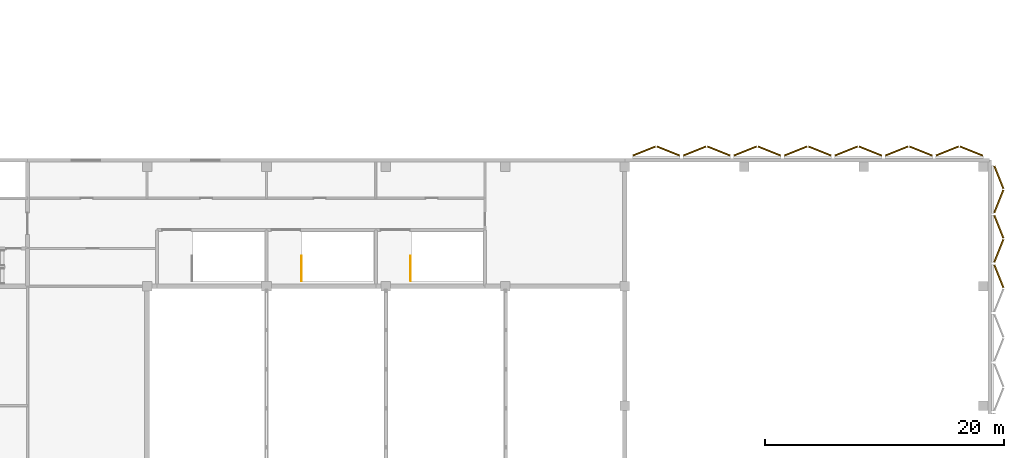
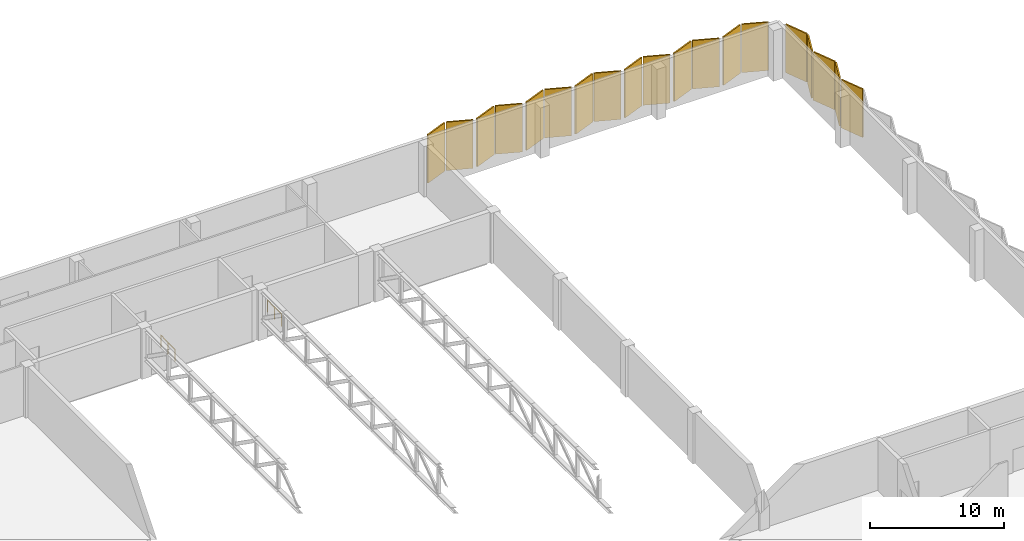
# One storey, part 36 of 36: 19 coverings, 2 railings.
"""IFC4 building model written with IfcOpenShell, lengths in metres."""

from ifc_helpers import new_model, si_unit, direction, frame, origin, origin_2d, place, context, subcontext, project, spatial, rectangle, circle, extrude, material, layer, layer_set, type_object, element, save


model = new_model("IFC4")

# Units and contexts
model_context = context("Model", 3, precision=1e-05, world=origin(), true_north=direction((0.0, 1.0)))
body_context = subcontext(model_context, "Body", "Model", "MODEL_VIEW")
ifc_project = project(units=[si_unit("LENGTHUNIT", "METRE"), si_unit("AREAUNIT", "SQUARE_METRE"), si_unit("VOLUMEUNIT", "CUBIC_METRE"), si_unit("PLANEANGLEUNIT", "RADIAN"), si_unit("MASSUNIT", "GRAM", prefix="KILO")], contexts=[model_context])

# Site, building, storey
site_placement = place(None, origin())
site = spatial("IfcSite", under=ifc_project, at=site_placement, CompositionType="ELEMENT")
building_placement = place(site_placement, origin())
building = spatial("IfcBuilding", under=site, at=building_placement, Name="Jabali Bay Hotel Tower and Convention Centre", CompositionType="ELEMENT")
storey_placement = place(building_placement, frame((0.0, 0.0, 20.39990234375)))
storey = spatial("IfcBuildingStorey", under=building, at=storey_placement, Name="L03", CompositionType="ELEMENT", Elevation=20.39990234375)

# Coverings
ifc_material_1 = material(Name="Precast concrete C40/50", Category="concrete")
ifc_layer = layer(ifc_material_1, 0.1201171875)
ifc_layer_set = layer_set([ifc_layer], Name="Precast concrete C40/50")
covering_type = type_object("IfcCoveringType", Name="CC Screen blade 4000 x 4390", PredefinedType="CLADDING", material=ifc_layer_set)
for number, where, z_axis, x_axis, name in (
    (1, (252.021728515625, 100.8330078125, 0.10009765625), (0.0, 0.0, 1.0), (0.371390668473, -0.928476694038, 0.0), "CC pierced screen E03.10 blade 2"),
    (2, (252.021728515625, 102.955322265625, 0.10009765625), (0.0, 0.0, 1.0), (0.371390668473, 0.928476694038, 0.0), "CC pierced screen E03.11 blade 1"),
    (3, (252.021728515625, 104.975341796875, 0.10009765625), (0.0, 0.0, 1.0), (0.371390668473, -0.928476694038, 0.0), "CC pierced screen E03.11 blade 2"),
    (4, (252.021728515625, 107.09765625, 0.10009765625), (0.0, 0.0, 1.0), (0.371390668473, 0.928476694038, 0.0), "CC pierced screen E03.12 blade 1"),
    (5, (252.021728515625, 109.11767578125, 0.10009765625), (0.0, 0.0, 1.0), (0.371390668473, -0.928476694038, 0.0), "CC pierced screen E03.12 blade 2"),
    (6, (222.3212890625, 111.32177734375, 0.10009765625), (0.0, 0.0, 1.0), (0.928476694038, 0.371390668473, 0.0), "CC pierced screen N03.1 blade 1"),
    (7, (224.34130859375, 111.32177734375, 0.10009765625), (0.0, 0.0, 1.0), (-0.928476694038, 0.371390668473, 0.0), "CC pierced screen N03.1 blade 2"),
    (8, (226.552490234375, 111.32177734375, 0.10009765625), (0.0, 0.0, 1.0), (0.928476694038, 0.371390668473, 0.0), "CC pierced screen N03.2 blade 1"),
    (9, (228.572509765625, 111.32177734375, 0.10009765625), (0.0, 0.0, 1.0), (-0.928476694038, 0.371390668473, 0.0), "CC pierced screen N03.2 blade 2"),
    (10, (230.78369140625, 111.32177734375, 0.10009765625), (0.0, 0.0, 1.0), (0.928476694038, 0.371390668473, 0.0), "CC pierced screen N03.3 blade 1"),
    (11, (232.8037109375, 111.32177734375, 0.10009765625), (0.0, 0.0, 1.0), (-0.928476694038, 0.371390668473, 0.0), "CC pierced screen N03.3 blade 2"),
    (12, (235.014892578125, 111.32177734375, 0.10009765625), (0.0, 0.0, 1.0), (0.928476694038, 0.371390668473, 0.0), "CC pierced screen N03.4 blade 1"),
    (13, (237.034912109375, 111.32177734375, 0.10009765625), (0.0, 0.0, 1.0), (-0.928476694038, 0.371390668473, 0.0), "CC pierced screen N03.4 blade 2"),
    (14, (239.246337890625, 111.32177734375, 0.10009765625), (0.0, 0.0, 1.0), (0.928476694038, 0.371390668473, 0.0), "CC pierced screen N03.5 blade 1"),
    (15, (241.266357421875, 111.32177734375, 0.10009765625), (0.0, 0.0, 1.0), (-0.928476694038, 0.371390668473, 0.0), "CC pierced screen N03.5 blade 2"),
    (16, (243.4775390625, 111.32177734375, 0.10009765625), (0.0, 0.0, 1.0), (0.928476694038, 0.371390668473, 0.0), "CC pierced screen N03.6 blade 1"),
    (17, (245.49755859375, 111.32177734375, 0.10009765625), (0.0, 0.0, 1.0), (-0.928476694038, 0.371390668473, 0.0), "CC pierced screen N03.6 blade 2"),
    (18, (247.708740234375, 111.32177734375, 0.10009765625), (0.0, 0.0, 1.0), (0.928476694038, 0.371390668473, 0.0), "CC pierced screen N03.7 blade 1"),
    (19, (249.728759765625, 111.32177734375, 0.10009765625), (0.0, 0.0, 1.0), (-0.928476694038, 0.371390668473, 0.0), "CC pierced screen N03.7 blade 2"),
):
    element("IfcCovering", number, at=place(storey_placement, frame(where, z_axis=z_axis, x_axis=x_axis)), inside=storey, type_object=covering_type, Name=name, PredefinedType="CLADDING", context=body_context, shape_type="SweptSolid", body=[
        extrude(rectangle(XDim=2.02490234375, YDim=0.1201171875, at=origin_2d()), origin(), (0.0, 0.0, 1.0), 4.389892578125),
    ])

# Railings
ifc_material_2 = material(Name="Stainless steel 304", Category="steel")
railing_type = type_object("IfcRailingType", Name="CC Stair Guard 1100", PredefinedType="GUARDRAIL", material=ifc_material_2)
for number, where, name in (
    (20, (193.625, 100.449951171875, 0.0), "L03 CC-STN2 top well guard 1"),
    (21, (202.77490234375, 100.449951171875, 0.0), "L03 CC-STN3 top well guard 1"),
):
    element("IfcRailing", number, at=place(storey_placement, frame(where)), inside=storey, type_object=railing_type, Name=name, PredefinedType="GUARDRAIL", context=body_context, shape_type="SweptSolid", body=[
        extrude(circle(Radius=0.02392578125, at=origin_2d()), frame((0.0, 0.0, 1.076171875), z_axis=(0.0, 1.0, 0.0), x_axis=(-1.0, 0.0, 0.0)), (0.0, 0.0, 1.0), 2.10009765625),
        extrude(circle(Radius=0.02099609375, at=origin_2d()), origin(), (0.0, 0.0, 1.0), 1.052001953125),
        extrude(circle(Radius=0.02099609375, at=origin_2d()), frame((0.0, 1.050048828125, 0.0)), (0.0, 0.0, 1.0), 1.052001953125),
        extrude(circle(Radius=0.02099609375, at=origin_2d()), frame((0.0, 2.10009765625, 0.0)), (0.0, 0.0, 1.0), 1.052001953125),
    ])

save(model, "model.ifc")
